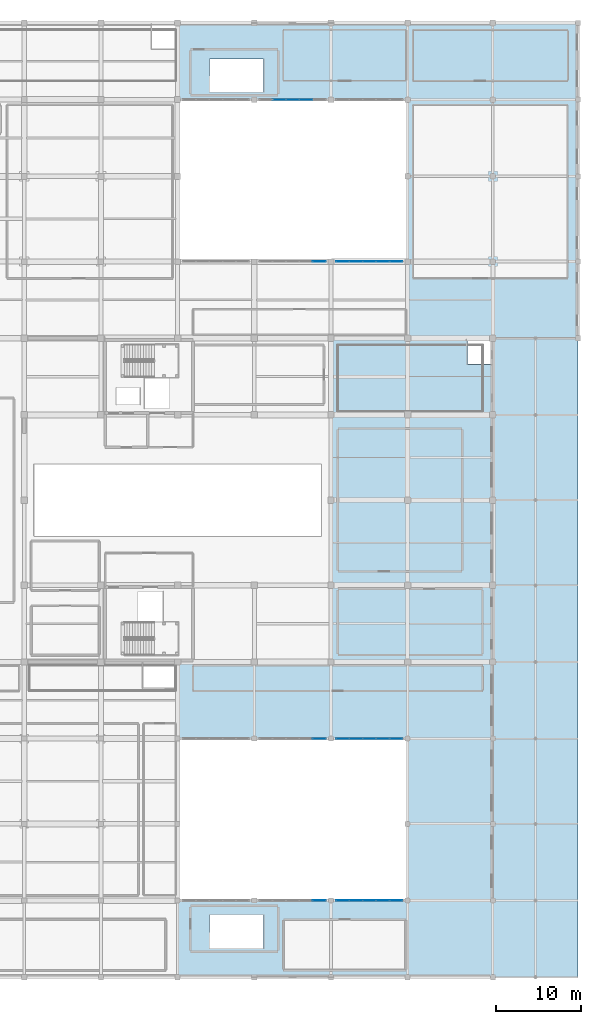
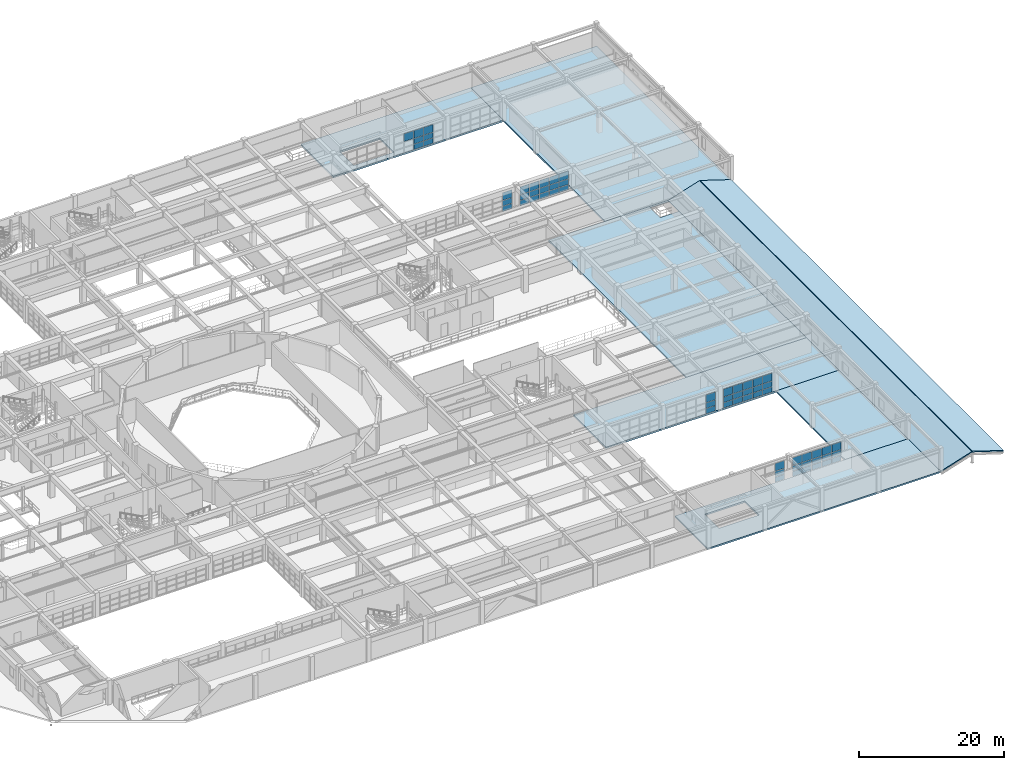
# One storey, part 98 of 130: 61 plates, 8 slabs, 7 elements without a shape of their own.
"""IFC4 building model written with IfcOpenShell, lengths in metres."""

from ifc_helpers import new_model, si_unit, direction, frame, origin, origin_2d, place, context, subcontext, project, spatial, polyline, rectangle, outline, extrude, material, layer, layer_set, type_object, element, aggregate, save


model = new_model("IFC4")

# Units and contexts
model_context = context("Model", 3, precision=1e-05, world=origin(), true_north=direction((0.0, 1.0)))
body_context = subcontext(model_context, "Body", "Model", "MODEL_VIEW")
ifc_project = project(units=[si_unit("LENGTHUNIT", "METRE"), si_unit("AREAUNIT", "SQUARE_METRE"), si_unit("VOLUMEUNIT", "CUBIC_METRE"), si_unit("PLANEANGLEUNIT", "RADIAN"), si_unit("MASSUNIT", "GRAM", prefix="KILO")], contexts=[model_context])

# Site, building, storey
site_placement = place(None, origin())
site = spatial("IfcSite", under=ifc_project, at=site_placement, CompositionType="ELEMENT")
building_placement = place(site_placement, origin())
building = spatial("IfcBuilding", under=site, at=building_placement, Name="Miravela Opera House", CompositionType="ELEMENT")
storey_placement = place(building_placement, frame((0.0, 0.0, 9.52001953125)))
storey = spatial("IfcBuildingStorey", under=building, at=storey_placement, Name="L02", CompositionType="ELEMENT", Elevation=9.52001953125)

# Curtain wall, plates
ifc_material_1 = material(Name="Anodised architectural bronze aluminium 6063-T6", Category="aluminium")
curtain_wall_type_1 = type_object("IfcCurtainWallType", Name="ARC-CW-05", PredefinedType="NOTDEFINED", material=ifc_material_1)
curtain_wall_1_placement = place(storey_placement, origin())
curtain_wall_1 = element("IfcCurtainWall", 1, at=curtain_wall_1_placement, inside=storey, type_object=curtain_wall_type_1, Name="Courtyard Arcade Curtain Wall CW-L02-184", PredefinedType="NOTDEFINED")
ifc_material_2 = material(Name="Acoustic laminated low-E insulating glass", Category="glass")
ifc_layer_1 = layer(ifc_material_2, 0.028076171875)
ifc_layer_set_1 = layer_set([ifc_layer_1])
plate_type = type_object("IfcPlateType", Name="ARC-CWP-28", PredefinedType="CURTAIN_PANEL", material=ifc_layer_set_1)
plate_1_placement = place(storey_placement, frame((133.62109375, 84.0, 0.06005859375), z_axis=(0.0, 0.0, 1.0), x_axis=(1.0, 0.0, 0.0)))
plate_1 = element("IfcPlate", 2, at=plate_1_placement, type_object=plate_type, Name="CW-05 panel 5.1", PredefinedType="CURTAIN_PANEL", context=body_context, shape_type="SweptSolid", body=[
    extrude(rectangle(XDim=1.47802734375, YDim=0.028076171875, at=origin_2d()), origin(), (0.0, 0.0, 1.0), 0.860107421875),
])
plate_2_placement = place(storey_placement, frame((133.62109375, 84.0, 0.97998046875), z_axis=(0.0, 0.0, 1.0), x_axis=(1.0, 0.0, 0.0)))
plate_2 = element("IfcPlate", 3, at=plate_2_placement, type_object=plate_type, Name="CW-05 panel 5.2", PredefinedType="CURTAIN_PANEL", context=body_context, shape_type="SweptSolid", body=[
    extrude(rectangle(XDim=1.47802734375, YDim=0.028076171875, at=origin_2d()), origin(), (0.0, 0.0, 1.0), 0.898193359375),
])
plate_3_placement = place(storey_placement, frame((133.62109375, 84.0, 1.93798828125), z_axis=(0.0, 0.0, 1.0), x_axis=(1.0, 0.0, 0.0)))
plate_3 = element("IfcPlate", 4, at=plate_3_placement, type_object=plate_type, Name="CW-05 panel 5.3", PredefinedType="CURTAIN_PANEL", context=body_context, shape_type="SweptSolid", body=[
    extrude(rectangle(XDim=1.47802734375, YDim=0.028076171875, at=origin_2d()), origin(), (0.0, 0.0, 1.0), 1.291748046875),
])
aggregate(curtain_wall_1, [plate_1, plate_2, plate_3])

curtain_wall_2_placement = place(storey_placement, origin())
curtain_wall_2 = element("IfcCurtainWall", 5, at=curtain_wall_2_placement, inside=storey, type_object=curtain_wall_type_1, Name="Courtyard Arcade Curtain Wall CW-L02-185", PredefinedType="NOTDEFINED")
plate_4_placement = place(storey_placement, frame((128.931884765625, 103.0, 1.93798828125), z_axis=(0.0, 0.0, 1.0), x_axis=(1.0, 0.0, 0.0)))
plate_4 = element("IfcPlate", 6, at=plate_4_placement, type_object=plate_type, Name="CW-05 panel 2.3", PredefinedType="CURTAIN_PANEL", context=body_context, shape_type="SweptSolid", body=[
    extrude(rectangle(XDim=1.508056640625, YDim=0.028076171875, at=origin_2d()), origin(), (0.0, 0.0, 1.0), 1.291748046875),
])
plate_5_placement = place(storey_placement, frame((130.5, 103.0, 0.06005859375), z_axis=(0.0, 0.0, 1.0), x_axis=(1.0, 0.0, 0.0)))
plate_5 = element("IfcPlate", 7, at=plate_5_placement, type_object=plate_type, Name="CW-05 panel 3.1", PredefinedType="CURTAIN_PANEL", context=body_context, shape_type="SweptSolid", body=[
    extrude(rectangle(XDim=1.508056640625, YDim=0.028076171875, at=origin_2d()), origin(), (0.0, 0.0, 1.0), 0.860107421875),
])
plate_6_placement = place(storey_placement, frame((130.5, 103.0, 0.97998046875), z_axis=(0.0, 0.0, 1.0), x_axis=(1.0, 0.0, 0.0)))
plate_6 = element("IfcPlate", 8, at=plate_6_placement, type_object=plate_type, Name="CW-05 panel 3.2", PredefinedType="CURTAIN_PANEL", context=body_context, shape_type="SweptSolid", body=[
    extrude(rectangle(XDim=1.508056640625, YDim=0.028076171875, at=origin_2d()), origin(), (0.0, 0.0, 1.0), 0.898193359375),
])
plate_7_placement = place(storey_placement, frame((130.5, 103.0, 1.93798828125), z_axis=(0.0, 0.0, 1.0), x_axis=(1.0, 0.0, 0.0)))
plate_7 = element("IfcPlate", 9, at=plate_7_placement, type_object=plate_type, Name="CW-05 panel 3.3", PredefinedType="CURTAIN_PANEL", context=body_context, shape_type="SweptSolid", body=[
    extrude(rectangle(XDim=1.508056640625, YDim=0.028076171875, at=origin_2d()), origin(), (0.0, 0.0, 1.0), 1.291748046875),
])
plate_8_placement = place(storey_placement, frame((132.068115234375, 103.0, 0.06005859375), z_axis=(0.0, 0.0, 1.0), x_axis=(1.0, 0.0, 0.0)))
plate_8 = element("IfcPlate", 10, at=plate_8_placement, type_object=plate_type, Name="CW-05 panel 4.1", PredefinedType="CURTAIN_PANEL", context=body_context, shape_type="SweptSolid", body=[
    extrude(rectangle(XDim=1.508056640625, YDim=0.028076171875, at=origin_2d()), origin(), (0.0, 0.0, 1.0), 0.860107421875),
])
plate_9_placement = place(storey_placement, frame((132.068115234375, 103.0, 0.97998046875), z_axis=(0.0, 0.0, 1.0), x_axis=(1.0, 0.0, 0.0)))
plate_9 = element("IfcPlate", 11, at=plate_9_placement, type_object=plate_type, Name="CW-05 panel 4.2", PredefinedType="CURTAIN_PANEL", context=body_context, shape_type="SweptSolid", body=[
    extrude(rectangle(XDim=1.508056640625, YDim=0.028076171875, at=origin_2d()), origin(), (0.0, 0.0, 1.0), 0.898193359375),
])
plate_10_placement = place(storey_placement, frame((132.068115234375, 103.0, 1.93798828125), z_axis=(0.0, 0.0, 1.0), x_axis=(1.0, 0.0, 0.0)))
plate_10 = element("IfcPlate", 12, at=plate_10_placement, type_object=plate_type, Name="CW-05 panel 4.3", PredefinedType="CURTAIN_PANEL", context=body_context, shape_type="SweptSolid", body=[
    extrude(rectangle(XDim=1.508056640625, YDim=0.028076171875, at=origin_2d()), origin(), (0.0, 0.0, 1.0), 1.291748046875),
])
aggregate(curtain_wall_2, [plate_4, plate_5, plate_6, plate_7, plate_8, plate_9, plate_10])

curtain_wall_type_2 = type_object("IfcCurtainWallType", Name="ARC-CW-06", PredefinedType="NOTDEFINED", material=ifc_material_1)
curtain_wall_3_placement = place(storey_placement, origin())
curtain_wall_3 = element("IfcCurtainWall", 13, at=curtain_wall_3_placement, inside=storey, type_object=curtain_wall_type_2, Name="Courtyard Arcade Curtain Wall CW-L02-186", PredefinedType="NOTDEFINED")
plate_11_placement = place(storey_placement, frame((133.62109375, 28.0, 0.06005859375), z_axis=(0.0, 0.0, 1.0), x_axis=(1.0, 0.0, 0.0)))
plate_11 = element("IfcPlate", 14, at=plate_11_placement, type_object=plate_type, Name="CW-06 panel 5.1", PredefinedType="CURTAIN_PANEL", context=body_context, shape_type="SweptSolid", body=[
    extrude(rectangle(XDim=1.47802734375, YDim=0.028076171875, at=origin_2d()), origin(), (0.0, 0.0, 1.0), 0.860107421875),
])
plate_12_placement = place(storey_placement, frame((133.62109375, 28.0, 0.97998046875), z_axis=(0.0, 0.0, 1.0), x_axis=(1.0, 0.0, 0.0)))
plate_12 = element("IfcPlate", 15, at=plate_12_placement, type_object=plate_type, Name="CW-06 panel 5.2", PredefinedType="CURTAIN_PANEL", context=body_context, shape_type="SweptSolid", body=[
    extrude(rectangle(XDim=1.47802734375, YDim=0.028076171875, at=origin_2d()), origin(), (0.0, 0.0, 1.0), 0.898193359375),
])
plate_13_placement = place(storey_placement, frame((133.62109375, 28.0, 1.93798828125), z_axis=(0.0, 0.0, 1.0), x_axis=(1.0, 0.0, 0.0)))
plate_13 = element("IfcPlate", 16, at=plate_13_placement, type_object=plate_type, Name="CW-06 panel 5.3", PredefinedType="CURTAIN_PANEL", context=body_context, shape_type="SweptSolid", body=[
    extrude(rectangle(XDim=1.47802734375, YDim=0.028076171875, at=origin_2d()), origin(), (0.0, 0.0, 1.0), 1.291748046875),
])
aggregate(curtain_wall_3, [plate_11, plate_12, plate_13])

curtain_wall_4_placement = place(storey_placement, origin())
curtain_wall_4 = element("IfcCurtainWall", 17, at=curtain_wall_4_placement, inside=storey, type_object=curtain_wall_type_2, Name="Courtyard Arcade Curtain Wall CW-L02-187", PredefinedType="NOTDEFINED")
plate_14_placement = place(storey_placement, frame((133.62109375, 9.0, 0.06005859375), z_axis=(0.0, 0.0, 1.0), x_axis=(1.0, 0.0, 0.0)))
plate_14 = element("IfcPlate", 18, at=plate_14_placement, type_object=plate_type, Name="CW-06 panel 5.1", PredefinedType="CURTAIN_PANEL", context=body_context, shape_type="SweptSolid", body=[
    extrude(rectangle(XDim=1.47802734375, YDim=0.028076171875, at=origin_2d()), origin(), (0.0, 0.0, 1.0), 0.860107421875),
])
plate_15_placement = place(storey_placement, frame((133.62109375, 9.0, 0.97998046875), z_axis=(0.0, 0.0, 1.0), x_axis=(1.0, 0.0, 0.0)))
plate_15 = element("IfcPlate", 19, at=plate_15_placement, type_object=plate_type, Name="CW-06 panel 5.2", PredefinedType="CURTAIN_PANEL", context=body_context, shape_type="SweptSolid", body=[
    extrude(rectangle(XDim=1.47802734375, YDim=0.028076171875, at=origin_2d()), origin(), (0.0, 0.0, 1.0), 0.898193359375),
])
plate_16_placement = place(storey_placement, frame((133.62109375, 9.0, 1.93798828125), z_axis=(0.0, 0.0, 1.0), x_axis=(1.0, 0.0, 0.0)))
plate_16 = element("IfcPlate", 20, at=plate_16_placement, type_object=plate_type, Name="CW-06 panel 5.3", PredefinedType="CURTAIN_PANEL", context=body_context, shape_type="SweptSolid", body=[
    extrude(rectangle(XDim=1.47802734375, YDim=0.028076171875, at=origin_2d()), origin(), (0.0, 0.0, 1.0), 1.291748046875),
])
aggregate(curtain_wall_4, [plate_14, plate_15, plate_16])

curtain_wall_5_placement = place(storey_placement, origin())
curtain_wall_5 = element("IfcCurtainWall", 21, at=curtain_wall_5_placement, inside=storey, type_object=curtain_wall_type_1, Name="Courtyard Arcade Curtain Wall CW-L02-188", PredefinedType="NOTDEFINED")
plate_17_placement = place(storey_placement, frame((136.37890625, 84.0, 0.06005859375), z_axis=(0.0, 0.0, 1.0), x_axis=(1.0, 0.0, 0.0)))
plate_17 = element("IfcPlate", 22, at=plate_17_placement, type_object=plate_type, Name="CW-05 panel 1.1", PredefinedType="CURTAIN_PANEL", context=body_context, shape_type="SweptSolid", body=[
    extrude(rectangle(XDim=1.47802734375, YDim=0.028076171875, at=origin_2d()), origin(), (0.0, 0.0, 1.0), 0.860107421875),
])
plate_18_placement = place(storey_placement, frame((136.37890625, 84.0, 0.97998046875), z_axis=(0.0, 0.0, 1.0), x_axis=(1.0, 0.0, 0.0)))
plate_18 = element("IfcPlate", 23, at=plate_18_placement, type_object=plate_type, Name="CW-05 panel 1.2", PredefinedType="CURTAIN_PANEL", context=body_context, shape_type="SweptSolid", body=[
    extrude(rectangle(XDim=1.47802734375, YDim=0.028076171875, at=origin_2d()), origin(), (0.0, 0.0, 1.0), 0.898193359375),
])
plate_19_placement = place(storey_placement, frame((136.37890625, 84.0, 1.93798828125), z_axis=(0.0, 0.0, 1.0), x_axis=(1.0, 0.0, 0.0)))
plate_19 = element("IfcPlate", 24, at=plate_19_placement, type_object=plate_type, Name="CW-05 panel 1.3", PredefinedType="CURTAIN_PANEL", context=body_context, shape_type="SweptSolid", body=[
    extrude(rectangle(XDim=1.47802734375, YDim=0.028076171875, at=origin_2d()), origin(), (0.0, 0.0, 1.0), 1.291748046875),
])
plate_20_placement = place(storey_placement, frame((137.931884765625, 84.0, 0.06005859375), z_axis=(0.0, 0.0, 1.0), x_axis=(1.0, 0.0, 0.0)))
plate_20 = element("IfcPlate", 25, at=plate_20_placement, type_object=plate_type, Name="CW-05 panel 2.1", PredefinedType="CURTAIN_PANEL", context=body_context, shape_type="SweptSolid", body=[
    extrude(rectangle(XDim=1.508056640625, YDim=0.028076171875, at=origin_2d()), origin(), (0.0, 0.0, 1.0), 0.860107421875),
])
plate_21_placement = place(storey_placement, frame((137.931884765625, 84.0, 0.97998046875), z_axis=(0.0, 0.0, 1.0), x_axis=(1.0, 0.0, 0.0)))
plate_21 = element("IfcPlate", 26, at=plate_21_placement, type_object=plate_type, Name="CW-05 panel 2.2", PredefinedType="CURTAIN_PANEL", context=body_context, shape_type="SweptSolid", body=[
    extrude(rectangle(XDim=1.508056640625, YDim=0.028076171875, at=origin_2d()), origin(), (0.0, 0.0, 1.0), 0.898193359375),
])
plate_22_placement = place(storey_placement, frame((137.931884765625, 84.0, 1.93798828125), z_axis=(0.0, 0.0, 1.0), x_axis=(1.0, 0.0, 0.0)))
plate_22 = element("IfcPlate", 27, at=plate_22_placement, type_object=plate_type, Name="CW-05 panel 2.3", PredefinedType="CURTAIN_PANEL", context=body_context, shape_type="SweptSolid", body=[
    extrude(rectangle(XDim=1.508056640625, YDim=0.028076171875, at=origin_2d()), origin(), (0.0, 0.0, 1.0), 1.291748046875),
])
plate_23_placement = place(storey_placement, frame((139.5, 84.0, 0.06005859375), z_axis=(0.0, 0.0, 1.0), x_axis=(1.0, 0.0, 0.0)))
plate_23 = element("IfcPlate", 28, at=plate_23_placement, type_object=plate_type, Name="CW-05 panel 3.1", PredefinedType="CURTAIN_PANEL", context=body_context, shape_type="SweptSolid", body=[
    extrude(rectangle(XDim=1.508056640625, YDim=0.028076171875, at=origin_2d()), origin(), (0.0, 0.0, 1.0), 0.860107421875),
])
plate_24_placement = place(storey_placement, frame((139.5, 84.0, 0.97998046875), z_axis=(0.0, 0.0, 1.0), x_axis=(1.0, 0.0, 0.0)))
plate_24 = element("IfcPlate", 29, at=plate_24_placement, type_object=plate_type, Name="CW-05 panel 3.2", PredefinedType="CURTAIN_PANEL", context=body_context, shape_type="SweptSolid", body=[
    extrude(rectangle(XDim=1.508056640625, YDim=0.028076171875, at=origin_2d()), origin(), (0.0, 0.0, 1.0), 0.898193359375),
])
plate_25_placement = place(storey_placement, frame((139.5, 84.0, 1.93798828125), z_axis=(0.0, 0.0, 1.0), x_axis=(1.0, 0.0, 0.0)))
plate_25 = element("IfcPlate", 30, at=plate_25_placement, type_object=plate_type, Name="CW-05 panel 3.3", PredefinedType="CURTAIN_PANEL", context=body_context, shape_type="SweptSolid", body=[
    extrude(rectangle(XDim=1.508056640625, YDim=0.028076171875, at=origin_2d()), origin(), (0.0, 0.0, 1.0), 1.291748046875),
])
plate_26_placement = place(storey_placement, frame((141.068115234375, 84.0, 0.06005859375), z_axis=(0.0, 0.0, 1.0), x_axis=(1.0, 0.0, 0.0)))
plate_26 = element("IfcPlate", 31, at=plate_26_placement, type_object=plate_type, Name="CW-05 panel 4.1", PredefinedType="CURTAIN_PANEL", context=body_context, shape_type="SweptSolid", body=[
    extrude(rectangle(XDim=1.508056640625, YDim=0.028076171875, at=origin_2d()), origin(), (0.0, 0.0, 1.0), 0.860107421875),
])
plate_27_placement = place(storey_placement, frame((141.068115234375, 84.0, 0.97998046875), z_axis=(0.0, 0.0, 1.0), x_axis=(1.0, 0.0, 0.0)))
plate_27 = element("IfcPlate", 32, at=plate_27_placement, type_object=plate_type, Name="CW-05 panel 4.2", PredefinedType="CURTAIN_PANEL", context=body_context, shape_type="SweptSolid", body=[
    extrude(rectangle(XDim=1.508056640625, YDim=0.028076171875, at=origin_2d()), origin(), (0.0, 0.0, 1.0), 0.898193359375),
])
plate_28_placement = place(storey_placement, frame((141.068115234375, 84.0, 1.93798828125), z_axis=(0.0, 0.0, 1.0), x_axis=(1.0, 0.0, 0.0)))
plate_28 = element("IfcPlate", 33, at=plate_28_placement, type_object=plate_type, Name="CW-05 panel 4.3", PredefinedType="CURTAIN_PANEL", context=body_context, shape_type="SweptSolid", body=[
    extrude(rectangle(XDim=1.508056640625, YDim=0.028076171875, at=origin_2d()), origin(), (0.0, 0.0, 1.0), 1.291748046875),
])
plate_29_placement = place(storey_placement, frame((142.62109375, 84.0, 0.06005859375), z_axis=(0.0, 0.0, 1.0), x_axis=(1.0, 0.0, 0.0)))
plate_29 = element("IfcPlate", 34, at=plate_29_placement, type_object=plate_type, Name="CW-05 panel 5.1", PredefinedType="CURTAIN_PANEL", context=body_context, shape_type="SweptSolid", body=[
    extrude(rectangle(XDim=1.47802734375, YDim=0.028076171875, at=origin_2d()), origin(), (0.0, 0.0, 1.0), 0.860107421875),
])
plate_30_placement = place(storey_placement, frame((142.62109375, 84.0, 0.97998046875), z_axis=(0.0, 0.0, 1.0), x_axis=(1.0, 0.0, 0.0)))
plate_30 = element("IfcPlate", 35, at=plate_30_placement, type_object=plate_type, Name="CW-05 panel 5.2", PredefinedType="CURTAIN_PANEL", context=body_context, shape_type="SweptSolid", body=[
    extrude(rectangle(XDim=1.47802734375, YDim=0.028076171875, at=origin_2d()), origin(), (0.0, 0.0, 1.0), 0.898193359375),
])
plate_31_placement = place(storey_placement, frame((142.62109375, 84.0, 1.93798828125), z_axis=(0.0, 0.0, 1.0), x_axis=(1.0, 0.0, 0.0)))
plate_31 = element("IfcPlate", 36, at=plate_31_placement, type_object=plate_type, Name="CW-05 panel 5.3", PredefinedType="CURTAIN_PANEL", context=body_context, shape_type="SweptSolid", body=[
    extrude(rectangle(XDim=1.47802734375, YDim=0.028076171875, at=origin_2d()), origin(), (0.0, 0.0, 1.0), 1.291748046875),
])
aggregate(curtain_wall_5, [plate_17, plate_18, plate_19, plate_20, plate_21, plate_22, plate_23, plate_24, plate_25, plate_26, plate_27, plate_28, plate_29, plate_30, plate_31])

curtain_wall_6_placement = place(storey_placement, origin())
curtain_wall_6 = element("IfcCurtainWall", 37, at=curtain_wall_6_placement, inside=storey, type_object=curtain_wall_type_2, Name="Courtyard Arcade Curtain Wall CW-L02-190", PredefinedType="NOTDEFINED")
plate_32_placement = place(storey_placement, frame((136.37890625, 28.0, 0.06005859375), z_axis=(0.0, 0.0, 1.0), x_axis=(1.0, 0.0, 0.0)))
plate_32 = element("IfcPlate", 38, at=plate_32_placement, type_object=plate_type, Name="CW-06 panel 1.1", PredefinedType="CURTAIN_PANEL", context=body_context, shape_type="SweptSolid", body=[
    extrude(rectangle(XDim=1.47802734375, YDim=0.028076171875, at=origin_2d()), origin(), (0.0, 0.0, 1.0), 0.860107421875),
])
plate_33_placement = place(storey_placement, frame((136.37890625, 28.0, 0.97998046875), z_axis=(0.0, 0.0, 1.0), x_axis=(1.0, 0.0, 0.0)))
plate_33 = element("IfcPlate", 39, at=plate_33_placement, type_object=plate_type, Name="CW-06 panel 1.2", PredefinedType="CURTAIN_PANEL", context=body_context, shape_type="SweptSolid", body=[
    extrude(rectangle(XDim=1.47802734375, YDim=0.028076171875, at=origin_2d()), origin(), (0.0, 0.0, 1.0), 0.898193359375),
])
plate_34_placement = place(storey_placement, frame((136.37890625, 28.0, 1.93798828125), z_axis=(0.0, 0.0, 1.0), x_axis=(1.0, 0.0, 0.0)))
plate_34 = element("IfcPlate", 40, at=plate_34_placement, type_object=plate_type, Name="CW-06 panel 1.3", PredefinedType="CURTAIN_PANEL", context=body_context, shape_type="SweptSolid", body=[
    extrude(rectangle(XDim=1.47802734375, YDim=0.028076171875, at=origin_2d()), origin(), (0.0, 0.0, 1.0), 1.291748046875),
])
plate_35_placement = place(storey_placement, frame((137.931884765625, 28.0, 0.06005859375), z_axis=(0.0, 0.0, 1.0), x_axis=(1.0, 0.0, 0.0)))
plate_35 = element("IfcPlate", 41, at=plate_35_placement, type_object=plate_type, Name="CW-06 panel 2.1", PredefinedType="CURTAIN_PANEL", context=body_context, shape_type="SweptSolid", body=[
    extrude(rectangle(XDim=1.508056640625, YDim=0.028076171875, at=origin_2d()), origin(), (0.0, 0.0, 1.0), 0.860107421875),
])
plate_36_placement = place(storey_placement, frame((137.931884765625, 28.0, 0.97998046875), z_axis=(0.0, 0.0, 1.0), x_axis=(1.0, 0.0, 0.0)))
plate_36 = element("IfcPlate", 42, at=plate_36_placement, type_object=plate_type, Name="CW-06 panel 2.2", PredefinedType="CURTAIN_PANEL", context=body_context, shape_type="SweptSolid", body=[
    extrude(rectangle(XDim=1.508056640625, YDim=0.028076171875, at=origin_2d()), origin(), (0.0, 0.0, 1.0), 0.898193359375),
])
plate_37_placement = place(storey_placement, frame((137.931884765625, 28.0, 1.93798828125), z_axis=(0.0, 0.0, 1.0), x_axis=(1.0, 0.0, 0.0)))
plate_37 = element("IfcPlate", 43, at=plate_37_placement, type_object=plate_type, Name="CW-06 panel 2.3", PredefinedType="CURTAIN_PANEL", context=body_context, shape_type="SweptSolid", body=[
    extrude(rectangle(XDim=1.508056640625, YDim=0.028076171875, at=origin_2d()), origin(), (0.0, 0.0, 1.0), 1.291748046875),
])
plate_38_placement = place(storey_placement, frame((139.5, 28.0, 0.06005859375), z_axis=(0.0, 0.0, 1.0), x_axis=(1.0, 0.0, 0.0)))
plate_38 = element("IfcPlate", 44, at=plate_38_placement, type_object=plate_type, Name="CW-06 panel 3.1", PredefinedType="CURTAIN_PANEL", context=body_context, shape_type="SweptSolid", body=[
    extrude(rectangle(XDim=1.508056640625, YDim=0.028076171875, at=origin_2d()), origin(), (0.0, 0.0, 1.0), 0.860107421875),
])
plate_39_placement = place(storey_placement, frame((139.5, 28.0, 0.97998046875), z_axis=(0.0, 0.0, 1.0), x_axis=(1.0, 0.0, 0.0)))
plate_39 = element("IfcPlate", 45, at=plate_39_placement, type_object=plate_type, Name="CW-06 panel 3.2", PredefinedType="CURTAIN_PANEL", context=body_context, shape_type="SweptSolid", body=[
    extrude(rectangle(XDim=1.508056640625, YDim=0.028076171875, at=origin_2d()), origin(), (0.0, 0.0, 1.0), 0.898193359375),
])
plate_40_placement = place(storey_placement, frame((139.5, 28.0, 1.93798828125), z_axis=(0.0, 0.0, 1.0), x_axis=(1.0, 0.0, 0.0)))
plate_40 = element("IfcPlate", 46, at=plate_40_placement, type_object=plate_type, Name="CW-06 panel 3.3", PredefinedType="CURTAIN_PANEL", context=body_context, shape_type="SweptSolid", body=[
    extrude(rectangle(XDim=1.508056640625, YDim=0.028076171875, at=origin_2d()), origin(), (0.0, 0.0, 1.0), 1.291748046875),
])
plate_41_placement = place(storey_placement, frame((141.068115234375, 28.0, 0.06005859375), z_axis=(0.0, 0.0, 1.0), x_axis=(1.0, 0.0, 0.0)))
plate_41 = element("IfcPlate", 47, at=plate_41_placement, type_object=plate_type, Name="CW-06 panel 4.1", PredefinedType="CURTAIN_PANEL", context=body_context, shape_type="SweptSolid", body=[
    extrude(rectangle(XDim=1.508056640625, YDim=0.028076171875, at=origin_2d()), origin(), (0.0, 0.0, 1.0), 0.860107421875),
])
plate_42_placement = place(storey_placement, frame((141.068115234375, 28.0, 0.97998046875), z_axis=(0.0, 0.0, 1.0), x_axis=(1.0, 0.0, 0.0)))
plate_42 = element("IfcPlate", 48, at=plate_42_placement, type_object=plate_type, Name="CW-06 panel 4.2", PredefinedType="CURTAIN_PANEL", context=body_context, shape_type="SweptSolid", body=[
    extrude(rectangle(XDim=1.508056640625, YDim=0.028076171875, at=origin_2d()), origin(), (0.0, 0.0, 1.0), 0.898193359375),
])
plate_43_placement = place(storey_placement, frame((141.068115234375, 28.0, 1.93798828125), z_axis=(0.0, 0.0, 1.0), x_axis=(1.0, 0.0, 0.0)))
plate_43 = element("IfcPlate", 49, at=plate_43_placement, type_object=plate_type, Name="CW-06 panel 4.3", PredefinedType="CURTAIN_PANEL", context=body_context, shape_type="SweptSolid", body=[
    extrude(rectangle(XDim=1.508056640625, YDim=0.028076171875, at=origin_2d()), origin(), (0.0, 0.0, 1.0), 1.291748046875),
])
plate_44_placement = place(storey_placement, frame((142.62109375, 28.0, 0.06005859375), z_axis=(0.0, 0.0, 1.0), x_axis=(1.0, 0.0, 0.0)))
plate_44 = element("IfcPlate", 50, at=plate_44_placement, type_object=plate_type, Name="CW-06 panel 5.1", PredefinedType="CURTAIN_PANEL", context=body_context, shape_type="SweptSolid", body=[
    extrude(rectangle(XDim=1.47802734375, YDim=0.028076171875, at=origin_2d()), origin(), (0.0, 0.0, 1.0), 0.860107421875),
])
plate_45_placement = place(storey_placement, frame((142.62109375, 28.0, 0.97998046875), z_axis=(0.0, 0.0, 1.0), x_axis=(1.0, 0.0, 0.0)))
plate_45 = element("IfcPlate", 51, at=plate_45_placement, type_object=plate_type, Name="CW-06 panel 5.2", PredefinedType="CURTAIN_PANEL", context=body_context, shape_type="SweptSolid", body=[
    extrude(rectangle(XDim=1.47802734375, YDim=0.028076171875, at=origin_2d()), origin(), (0.0, 0.0, 1.0), 0.898193359375),
])
plate_46_placement = place(storey_placement, frame((142.62109375, 28.0, 1.93798828125), z_axis=(0.0, 0.0, 1.0), x_axis=(1.0, 0.0, 0.0)))
plate_46 = element("IfcPlate", 52, at=plate_46_placement, type_object=plate_type, Name="CW-06 panel 5.3", PredefinedType="CURTAIN_PANEL", context=body_context, shape_type="SweptSolid", body=[
    extrude(rectangle(XDim=1.47802734375, YDim=0.028076171875, at=origin_2d()), origin(), (0.0, 0.0, 1.0), 1.291748046875),
])
aggregate(curtain_wall_6, [plate_32, plate_33, plate_34, plate_35, plate_36, plate_37, plate_38, plate_39, plate_40, plate_41, plate_42, plate_43, plate_44, plate_45, plate_46])

curtain_wall_7_placement = place(storey_placement, origin())
curtain_wall_7 = element("IfcCurtainWall", 53, at=curtain_wall_7_placement, inside=storey, type_object=curtain_wall_type_2, Name="Courtyard Arcade Curtain Wall CW-L02-191", PredefinedType="NOTDEFINED")
plate_47_placement = place(storey_placement, frame((136.37890625, 9.0, 0.06005859375), z_axis=(0.0, 0.0, 1.0), x_axis=(1.0, 0.0, 0.0)))
plate_47 = element("IfcPlate", 54, at=plate_47_placement, type_object=plate_type, Name="CW-06 panel 1.1", PredefinedType="CURTAIN_PANEL", context=body_context, shape_type="SweptSolid", body=[
    extrude(rectangle(XDim=1.47802734375, YDim=0.028076171875, at=origin_2d()), origin(), (0.0, 0.0, 1.0), 0.860107421875),
])
plate_48_placement = place(storey_placement, frame((136.37890625, 9.0, 0.97998046875), z_axis=(0.0, 0.0, 1.0), x_axis=(1.0, 0.0, 0.0)))
plate_48 = element("IfcPlate", 55, at=plate_48_placement, type_object=plate_type, Name="CW-06 panel 1.2", PredefinedType="CURTAIN_PANEL", context=body_context, shape_type="SweptSolid", body=[
    extrude(rectangle(XDim=1.47802734375, YDim=0.028076171875, at=origin_2d()), origin(), (0.0, 0.0, 1.0), 0.898193359375),
])
plate_49_placement = place(storey_placement, frame((136.37890625, 9.0, 1.93798828125), z_axis=(0.0, 0.0, 1.0), x_axis=(1.0, 0.0, 0.0)))
plate_49 = element("IfcPlate", 56, at=plate_49_placement, type_object=plate_type, Name="CW-06 panel 1.3", PredefinedType="CURTAIN_PANEL", context=body_context, shape_type="SweptSolid", body=[
    extrude(rectangle(XDim=1.47802734375, YDim=0.028076171875, at=origin_2d()), origin(), (0.0, 0.0, 1.0), 1.291748046875),
])
plate_50_placement = place(storey_placement, frame((137.931884765625, 9.0, 0.06005859375), z_axis=(0.0, 0.0, 1.0), x_axis=(1.0, 0.0, 0.0)))
plate_50 = element("IfcPlate", 57, at=plate_50_placement, type_object=plate_type, Name="CW-06 panel 2.1", PredefinedType="CURTAIN_PANEL", context=body_context, shape_type="SweptSolid", body=[
    extrude(rectangle(XDim=1.508056640625, YDim=0.028076171875, at=origin_2d()), origin(), (0.0, 0.0, 1.0), 0.860107421875),
])
plate_51_placement = place(storey_placement, frame((137.931884765625, 9.0, 0.97998046875), z_axis=(0.0, 0.0, 1.0), x_axis=(1.0, 0.0, 0.0)))
plate_51 = element("IfcPlate", 58, at=plate_51_placement, type_object=plate_type, Name="CW-06 panel 2.2", PredefinedType="CURTAIN_PANEL", context=body_context, shape_type="SweptSolid", body=[
    extrude(rectangle(XDim=1.508056640625, YDim=0.028076171875, at=origin_2d()), origin(), (0.0, 0.0, 1.0), 0.898193359375),
])
plate_52_placement = place(storey_placement, frame((137.931884765625, 9.0, 1.93798828125), z_axis=(0.0, 0.0, 1.0), x_axis=(1.0, 0.0, 0.0)))
plate_52 = element("IfcPlate", 59, at=plate_52_placement, type_object=plate_type, Name="CW-06 panel 2.3", PredefinedType="CURTAIN_PANEL", context=body_context, shape_type="SweptSolid", body=[
    extrude(rectangle(XDim=1.508056640625, YDim=0.028076171875, at=origin_2d()), origin(), (0.0, 0.0, 1.0), 1.291748046875),
])
plate_53_placement = place(storey_placement, frame((139.5, 9.0, 0.06005859375), z_axis=(0.0, 0.0, 1.0), x_axis=(1.0, 0.0, 0.0)))
plate_53 = element("IfcPlate", 60, at=plate_53_placement, type_object=plate_type, Name="CW-06 panel 3.1", PredefinedType="CURTAIN_PANEL", context=body_context, shape_type="SweptSolid", body=[
    extrude(rectangle(XDim=1.508056640625, YDim=0.028076171875, at=origin_2d()), origin(), (0.0, 0.0, 1.0), 0.860107421875),
])
plate_54_placement = place(storey_placement, frame((139.5, 9.0, 0.97998046875), z_axis=(0.0, 0.0, 1.0), x_axis=(1.0, 0.0, 0.0)))
plate_54 = element("IfcPlate", 61, at=plate_54_placement, type_object=plate_type, Name="CW-06 panel 3.2", PredefinedType="CURTAIN_PANEL", context=body_context, shape_type="SweptSolid", body=[
    extrude(rectangle(XDim=1.508056640625, YDim=0.028076171875, at=origin_2d()), origin(), (0.0, 0.0, 1.0), 0.898193359375),
])
plate_55_placement = place(storey_placement, frame((139.5, 9.0, 1.93798828125), z_axis=(0.0, 0.0, 1.0), x_axis=(1.0, 0.0, 0.0)))
plate_55 = element("IfcPlate", 62, at=plate_55_placement, type_object=plate_type, Name="CW-06 panel 3.3", PredefinedType="CURTAIN_PANEL", context=body_context, shape_type="SweptSolid", body=[
    extrude(rectangle(XDim=1.508056640625, YDim=0.028076171875, at=origin_2d()), origin(), (0.0, 0.0, 1.0), 1.291748046875),
])
plate_56_placement = place(storey_placement, frame((141.068115234375, 9.0, 0.06005859375), z_axis=(0.0, 0.0, 1.0), x_axis=(1.0, 0.0, 0.0)))
plate_56 = element("IfcPlate", 63, at=plate_56_placement, type_object=plate_type, Name="CW-06 panel 4.1", PredefinedType="CURTAIN_PANEL", context=body_context, shape_type="SweptSolid", body=[
    extrude(rectangle(XDim=1.508056640625, YDim=0.028076171875, at=origin_2d()), origin(), (0.0, 0.0, 1.0), 0.860107421875),
])
plate_57_placement = place(storey_placement, frame((141.068115234375, 9.0, 0.97998046875), z_axis=(0.0, 0.0, 1.0), x_axis=(1.0, 0.0, 0.0)))
plate_57 = element("IfcPlate", 64, at=plate_57_placement, type_object=plate_type, Name="CW-06 panel 4.2", PredefinedType="CURTAIN_PANEL", context=body_context, shape_type="SweptSolid", body=[
    extrude(rectangle(XDim=1.508056640625, YDim=0.028076171875, at=origin_2d()), origin(), (0.0, 0.0, 1.0), 0.898193359375),
])
plate_58_placement = place(storey_placement, frame((141.068115234375, 9.0, 1.93798828125), z_axis=(0.0, 0.0, 1.0), x_axis=(1.0, 0.0, 0.0)))
plate_58 = element("IfcPlate", 65, at=plate_58_placement, type_object=plate_type, Name="CW-06 panel 4.3", PredefinedType="CURTAIN_PANEL", context=body_context, shape_type="SweptSolid", body=[
    extrude(rectangle(XDim=1.508056640625, YDim=0.028076171875, at=origin_2d()), origin(), (0.0, 0.0, 1.0), 1.291748046875),
])
plate_59_placement = place(storey_placement, frame((142.62109375, 9.0, 0.06005859375), z_axis=(0.0, 0.0, 1.0), x_axis=(1.0, 0.0, 0.0)))
plate_59 = element("IfcPlate", 66, at=plate_59_placement, type_object=plate_type, Name="CW-06 panel 5.1", PredefinedType="CURTAIN_PANEL", context=body_context, shape_type="SweptSolid", body=[
    extrude(rectangle(XDim=1.47802734375, YDim=0.028076171875, at=origin_2d()), origin(), (0.0, 0.0, 1.0), 0.860107421875),
])
plate_60_placement = place(storey_placement, frame((142.62109375, 9.0, 0.97998046875), z_axis=(0.0, 0.0, 1.0), x_axis=(1.0, 0.0, 0.0)))
plate_60 = element("IfcPlate", 67, at=plate_60_placement, type_object=plate_type, Name="CW-06 panel 5.2", PredefinedType="CURTAIN_PANEL", context=body_context, shape_type="SweptSolid", body=[
    extrude(rectangle(XDim=1.47802734375, YDim=0.028076171875, at=origin_2d()), origin(), (0.0, 0.0, 1.0), 0.898193359375),
])
plate_61_placement = place(storey_placement, frame((142.62109375, 9.0, 1.93798828125), z_axis=(0.0, 0.0, 1.0), x_axis=(1.0, 0.0, 0.0)))
plate_61 = element("IfcPlate", 68, at=plate_61_placement, type_object=plate_type, Name="CW-06 panel 5.3", PredefinedType="CURTAIN_PANEL", context=body_context, shape_type="SweptSolid", body=[
    extrude(rectangle(XDim=1.47802734375, YDim=0.028076171875, at=origin_2d()), origin(), (0.0, 0.0, 1.0), 1.291748046875),
])
aggregate(curtain_wall_7, [plate_47, plate_48, plate_49, plate_50, plate_51, plate_52, plate_53, plate_54, plate_55, plate_56, plate_57, plate_58, plate_59, plate_60, plate_61])

# Slabs
ifc_material_3 = material(Name="Concrete C35/45", Category="concrete")
ifc_layer_2 = layer(ifc_material_3, 0.169921875)
ifc_layer_set_2 = layer_set([ifc_layer_2])
slab_type_1 = type_object("IfcSlabType", Name="STR-ROOF-TILE-170", PredefinedType="ROOF", material=ifc_layer_set_2)
for number, where, z_axis, x_axis, name in (
    (69, (154.0, 0.0, 0.0), (-0.304750134422, 0.0, 0.952432336478), (0.0, 1.0, 0.0), "Pitched Clay Barrel-Tile Roof Slab ROOF-V4-FAR-E Slope 1"),
    (70, (164.0, 75.0, 0.0), (0.304750134422, 0.0, 0.952432336478), (0.0, -1.0, 0.0), "Pitched Clay Barrel-Tile Roof Slab ROOF-V4-FAR-E Slope 2"),
):
    element("IfcSlab", number, at=place(storey_placement, frame(where, z_axis=z_axis, x_axis=x_axis)), inside=storey, type_object=slab_type_1, Name=name, PredefinedType="ROOF", context=body_context, shape_type="SweptSolid", body=[
        extrude(outline(polyline([(0.0, 0.0), (75.0, 0.0), (75.0, -5.192041649550709), (0.0, -5.192041649550709), (0.0, 0.0)])), origin(), (0.0, 0.0, -1.0), 0.169921875),
    ])
ifc_material_4 = material(Name="Concrete C40/50", Category="concrete")
ifc_layer_3 = layer(ifc_material_4, 0.260009765625)
ifc_layer_set_3 = layer_set([ifc_layer_3])
slab_type_2 = type_object("IfcSlabType", Name="STR-SLAB-XFER-260", PredefinedType="FLOOR", material=ifc_layer_set_3)
slab_1_placement = place(storey_placement, frame((0.0, 0.0, -0.260009765625)))
element("IfcSlab", 71, at=slab_1_placement, inside=storey, type_object=slab_type_2, Name="Level L02 Floor Slab SLAB-L02-V2E", PredefinedType="FLOOR", context=body_context, shape_type="SweptSolid", body=[
    extrude(outline(polyline([(135.0, 37.0), (154.0, 37.0), (154.0, 72.0), (151.0, 72.0), (151.0, 75.0), (135.0, 75.0), (135.0, 37.0)])), origin(), (0.0, 0.0, 1.0), 0.260009765625),
])
slab_2_placement = place(storey_placement, frame((0.0, 0.0, -0.260009765625)))
element("IfcSlab", 72, at=slab_2_placement, inside=storey, type_object=slab_type_2, Name="Level L02 Floor Slab SLAB-L02-V3T", PredefinedType="FLOOR", context=body_context, shape_type="SweptSolid", body=[
    extrude(outline(polyline([(117.0, 103.0), (144.0, 103.0), (144.0, 112.0), (117.0, 112.0), (117.0, 103.0)]), holes=[polyline([(120.739990234375, 103.89990234375), (127.10009765625, 103.89990234375), (127.10009765625, 107.780029296875), (120.739990234375, 107.780029296875), (120.739990234375, 103.89990234375)])]), origin(), (0.0, 0.0, 1.0), 0.260009765625),
])
slab_3_placement = place(storey_placement, frame((0.0, 0.0, -0.260009765625)))
element("IfcSlab", 73, at=slab_3_placement, inside=storey, type_object=slab_type_2, Name="Level L02 Floor Slab SLAB-L02-V3E", PredefinedType="FLOOR", context=body_context, shape_type="SweptSolid", body=[
    extrude(outline(polyline([(144.0, 75.0), (164.0, 75.0), (164.0, 112.0), (144.0, 112.0), (144.0, 75.0)])), origin(), (0.0, 0.0, 1.0), 0.260009765625),
])
slab_4_placement = place(storey_placement, frame((0.0, 0.0, -0.260009765625)))
element("IfcSlab", 74, at=slab_4_placement, inside=storey, type_object=slab_type_2, Name="Level L02 Floor Slab SLAB-L02-V4B", PredefinedType="FLOOR", context=body_context, shape_type="SweptSolid", body=[
    extrude(outline(polyline([(117.0, 28.0), (154.0, 28.0), (154.0, 37.0), (117.0, 37.0), (117.0, 28.0)])), origin(), (0.0, 0.0, 1.0), 0.260009765625),
])
slab_5_placement = place(storey_placement, frame((0.0, 0.0, -0.260009765625)))
element("IfcSlab", 75, at=slab_5_placement, inside=storey, type_object=slab_type_2, Name="Level L02 Floor Slab SLAB-L02-V4T", PredefinedType="FLOOR", context=body_context, shape_type="SweptSolid", body=[
    extrude(outline(polyline([(117.0, 0.0), (154.0, 0.0), (154.0, 9.0), (117.0, 9.0), (117.0, 0.0)]), holes=[polyline([(120.739990234375, 3.39990234375), (127.10009765625, 3.39990234375), (127.10009765625, 7.280029296875), (120.739990234375, 7.280029296875), (120.739990234375, 3.39990234375)])]), origin(), (0.0, 0.0, 1.0), 0.260009765625),
])
slab_6_placement = place(storey_placement, frame((0.0, 0.0, -0.260009765625)))
element("IfcSlab", 76, at=slab_6_placement, inside=storey, type_object=slab_type_2, Name="Level L02 Floor Slab SLAB-L02-V4E", PredefinedType="FLOOR", context=body_context, shape_type="SweptSolid", body=[
    extrude(outline(polyline([(144.0, 9.0), (154.0, 9.0), (154.0, 28.0), (144.0, 28.0), (144.0, 9.0)])), origin(), (0.0, 0.0, 1.0), 0.260009765625),
])

save(model, "model.ifc")
